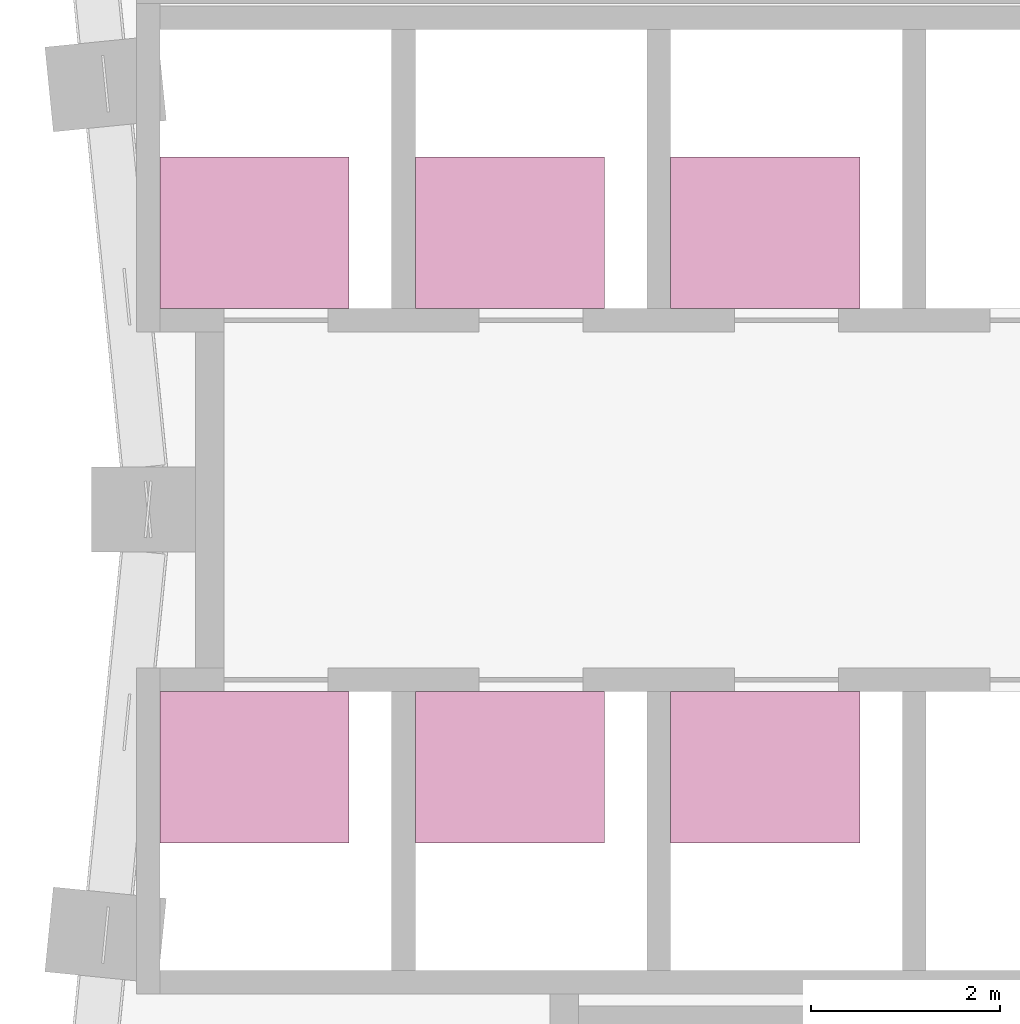
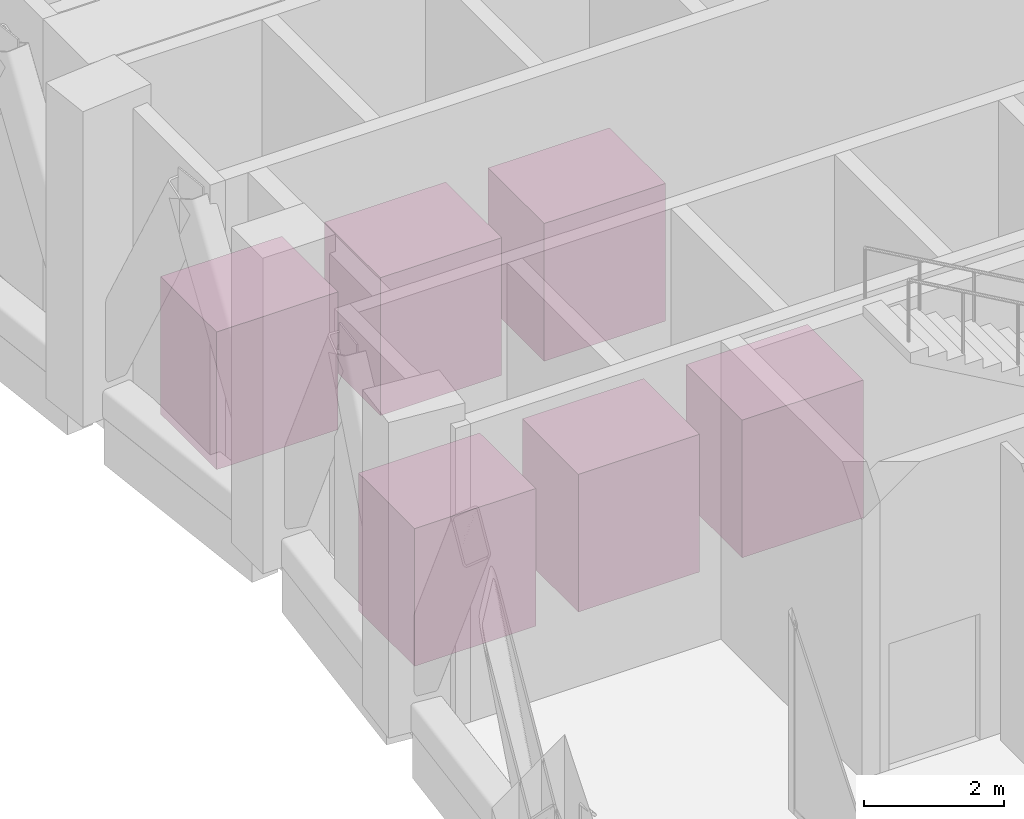
# One storey, part 37 of 37: 6 transport elements.
"""IFC4 building model written with IfcOpenShell, lengths in metres."""

import ifcopenshell
import ifcopenshell.guid

model = None  # the IFC model being written
_history = None  # IfcOwnerHistory: only IFC2X3 demands one
_inside = {}  # id of a spatial element -> (the spatial element, [elements in it])
_under = {}  # id of a project, library or spatial element -> (it, [spatial elements below it])
_declared = {}  # id of a project -> (the project, [libraries it declares])
_typed = {}  # id of a type object -> (the type object, [elements of that type])
_made_of = {}  # id of a material, layer set ... -> (it, [elements and type objects made of it])


def new_model(schema):
    """Start an empty IFC model of exactly this schema.

    Asked for "IFC4X3", IfcOpenShell would pick the latest addendum, in which some entities
    have other attributes; the version numbers below select the first issue.
    IFC2X3 requires an IfcOwnerHistory on every rooted entity: one is made here for all.
    """
    global model, _history
    if schema == "IFC4X3":
        model = ifcopenshell.file(schema_version=(4, 3, 0, 0))
    else:
        model = ifcopenshell.file(schema=schema)
    _inside.clear()
    _under.clear()
    _declared.clear()
    _typed.clear()
    _made_of.clear()
    _history = None
    if model.schema == "IFC2X3":
        org = make("IfcOrganization", Name="unknown")
        user = make(
            "IfcPersonAndOrganization",
            ThePerson=make("IfcPerson", FamilyName="unknown"),
            TheOrganization=org,
        )
        app = make(
            "IfcApplication",
            ApplicationDeveloper=org,
            Version="unknown",
            ApplicationFullName="unknown",
            ApplicationIdentifier="unknown",
        )
        _history = make(
            "IfcOwnerHistory",
            OwningUser=user,
            OwningApplication=app,
            ChangeAction="ADDED",
            CreationDate=0,
        )
    return model


def make(cls, **values):
    """One entity of the class cls with the attributes given. An attribute that is None is left unset."""
    return model.create_entity(
        cls, **{name: value for name, value in values.items() if value is not None}
    )


def rooted(cls, **values):
    """An entity with a GlobalId (a new one), such as an element, a storey or a relation."""
    return make(cls, GlobalId=ifcopenshell.guid.new(), OwnerHistory=_history, **values)


def si_unit(unit_type, name, prefix=None):
    """IfcSIUnit, for example si_unit("LENGTHUNIT", "METRE", prefix="MILLI")."""
    return make("IfcSIUnit", UnitType=unit_type, Prefix=prefix, Name=name)


def assignment(units):
    """IfcUnitAssignment: the units of a project."""
    return None if units is None else make("IfcUnitAssignment", Units=units)


def point(xyz):
    """IfcCartesianPoint."""
    return None if xyz is None else make("IfcCartesianPoint", Coordinates=xyz)


def direction(xyz):
    """IfcDirection."""
    return None if xyz is None else make("IfcDirection", DirectionRatios=xyz)


def frame(location, z_axis=None, x_axis=None):
    """IfcAxis2Placement3D, a coordinate frame: its origin and axes. An axis left out is left unset."""
    return make(
        "IfcAxis2Placement3D",
        Location=point(location),
        Axis=direction(z_axis),
        RefDirection=direction(x_axis),
    )


def frame_2d(location, x_axis=None):
    """IfcAxis2Placement2D, a coordinate frame in the plane: its origin and x axis."""
    return make(
        "IfcAxis2Placement2D", Location=point(location), RefDirection=direction(x_axis)
    )


def origin():
    """The frame at (0, 0, 0) with its axes left unset."""
    return frame((0.0, 0.0, 0.0))


def origin_2d():
    """The frame at (0, 0) in the plane with its x axis left unset."""
    return frame_2d((0.0, 0.0))


def place(relative_to, where):
    """IfcLocalPlacement: puts the frame where relative to a parent placement (None: the world)."""
    return make(
        "IfcLocalPlacement", PlacementRelTo=relative_to, RelativePlacement=where
    )


def context(
    kind, dimensions, precision=None, world=None, true_north=None, identifier=None
):
    """IfcGeometricRepresentationContext, for example the 3D "Model" context."""
    return make(
        "IfcGeometricRepresentationContext",
        ContextIdentifier=identifier,
        ContextType=kind,
        CoordinateSpaceDimension=dimensions,
        Precision=precision,
        WorldCoordinateSystem=world,
        TrueNorth=true_north,
    )


def subcontext(parent, identifier, kind, view, scale=None):
    """IfcGeometricRepresentationSubContext, for example "Body" below "Model"."""
    return make(
        "IfcGeometricRepresentationSubContext",
        ContextIdentifier=identifier,
        ContextType=kind,
        ParentContext=parent,
        TargetScale=scale,
        TargetView=view,
    )


def project(units=None, contexts=None):
    """IfcProject with its units and contexts."""
    return rooted(
        "IfcProject",
        Name="project",
        RepresentationContexts=contexts,
        UnitsInContext=assignment(units),
    )


def spatial(cls, under=None, at=None, **own):
    """A site, building, storey or space (cls), placed at a placement, below another one or the project."""
    s = rooted(cls, ObjectPlacement=at, **own)
    if under is not None:
        _under.setdefault(under.id(), (under, []))[1].append(s)
    return s


def profile(cls, at=None, kind="AREA", **sizes):
    """A parametric profile (cls). Its sizes go by their IFC names, for example OverallWidth=200.0."""
    return make(cls, ProfileType=kind, Position=at, **sizes)


def rectangle(**sizes):
    """IfcRectangleProfileDef."""
    return profile("IfcRectangleProfileDef", **sizes)


def extrude(swept, where, along, depth):
    """IfcExtrudedAreaSolid: the profile swept, set in the frame where, extruded along a direction by depth."""
    return make(
        "IfcExtrudedAreaSolid",
        SweptArea=swept,
        Position=where,
        ExtrudedDirection=direction(along),
        Depth=depth,
    )


def shape(context_of_items, identifier, shape_type, items):
    """IfcShapeRepresentation: the items that make up one representation, for example the "Body"."""
    return make(
        "IfcShapeRepresentation",
        ContextOfItems=context_of_items,
        RepresentationIdentifier=identifier,
        RepresentationType=shape_type,
        Items=items,
    )


def material(Name=None, Category=None):
    """IfcMaterial."""
    return make("IfcMaterial", Name=Name, Category=Category)


def made_of(thing, what):
    """Note that an element or type object is made of a material, layer set ...; save() writes the relation."""
    if what is not None:
        _made_of.setdefault(what.id(), (what, []))[1].append(thing)
    return thing


def type_object(cls, material=None, **own):
    """A type object (cls), such as IfcWallType, which elements share."""
    return made_of(rooted(cls, **own), material)


def element(
    cls,
    number,
    at=None,
    inside=None,
    cuts=None,
    type_object=None,
    material=None,
    context=None,
    identifier="Body",
    shape_type=None,
    held_by="IfcProductDefinitionShape",
    body=None,
    shapes=None,
    **own,
):
    """One element of the class cls, such as IfcWall. Its Tag is "e" and its number.

    at: its placement. inside: the storey or other place that contains it. cuts: it is an
    opening in that element (IfcRelVoidsElement). A single representation is given by context,
    identifier, shape_type and body (its items); several are given by shapes. held_by: the class
    of the entity that holds the representations. save() writes the other relations.
    """
    e = rooted(cls, Tag="e%d" % number, ObjectPlacement=at, **own)
    if body is not None:
        shapes = [shape(context, identifier, shape_type, body)]
    if shapes is not None:
        e.Representation = make(held_by, Representations=shapes)
    if inside is not None:
        _inside.setdefault(inside.id(), (inside, []))[1].append(e)
    if cuts is not None:
        rooted(
            "IfcRelVoidsElement", RelatingBuildingElement=cuts, RelatedOpeningElement=e
        )
    if type_object is not None:
        _typed.setdefault(type_object.id(), (type_object, []))[1].append(e)
    return made_of(e, material)


def aggregate(whole, parts):
    """IfcRelAggregates: a whole, such as a stair, and the parts it consists of."""
    return rooted("IfcRelAggregates", RelatingObject=whole, RelatedObjects=parts)


def save(model, path):
    """Write the relations noted so far, then the file.

    IfcRelAggregates (storeys below a building ...), IfcRelContainedInSpatialStructure (elements
    in a storey), IfcRelDefinesByType, IfcRelAssociatesMaterial and IfcRelDeclares: one each for
    every whole, place, type object, material and project.
    """
    for whole, parts in _under.values():
        aggregate(whole, parts)
    for where, things in _inside.values():
        rooted(
            "IfcRelContainedInSpatialStructure",
            RelatedElements=things,
            RelatingStructure=where,
        )
    for kind, things in _typed.values():
        rooted("IfcRelDefinesByType", RelatedObjects=things, RelatingType=kind)
    for what, things in _made_of.values():
        rooted("IfcRelAssociatesMaterial", RelatedObjects=things, RelatingMaterial=what)
    for by, libraries in _declared.values():
        rooted("IfcRelDeclares", RelatingContext=by, RelatedDefinitions=libraries)
    model.write(path)


model = new_model("IFC4")

# Units and contexts
model_context = context("Model", 3, precision=1e-05, world=origin(), true_north=direction((0.0, 1.0)))
body_context = subcontext(model_context, "Body", "Model", "MODEL_VIEW")
ifc_project = project(units=[si_unit("LENGTHUNIT", "METRE"), si_unit("AREAUNIT", "SQUARE_METRE"), si_unit("VOLUMEUNIT", "CUBIC_METRE"), si_unit("PLANEANGLEUNIT", "RADIAN"), si_unit("MASSUNIT", "GRAM", prefix="KILO")], contexts=[model_context])

# Site, building, storey
site_placement = place(None, origin())
site = spatial("IfcSite", under=ifc_project, at=site_placement, CompositionType="ELEMENT")
building_placement = place(site_placement, origin())
building = spatial("IfcBuilding", under=site, at=building_placement, Name="Brondeck Convention Tower", CompositionType="ELEMENT")
storey_placement = place(building_placement, frame((0.0, 0.0, 137.89990234375)))
storey = spatial("IfcBuildingStorey", under=building, at=storey_placement, Name="L33", CompositionType="ELEMENT", Elevation=137.89990234375)

# Transport elements
ifc_material = material(Name="Stainless steel lift car", Category="steel")
transport_element_type = type_object("IfcTransportElementType", Name="Passenger lift car 1600 kg 2000x1600", PredefinedType="ELEVATOR", material=ifc_material)
for number, where, z_axis, x_axis, name in (
    (1, (1.125, 42.27490234375, 0.000244140625), (0.0, 0.0, 1.0), (1.0, 0.0, 0.0), "Lift HR1 car"),
    (2, (1.125, 47.925048828125, 0.000244140625), (0.0, 0.0, 1.0), (1.0, 0.0, 0.0), "Lift HR4 car"),
    (3, (3.824951171875, 42.27490234375, 0.000244140625), (0.0, 0.0, 1.0), (1.0, 0.0, 0.0), "Lift HR2 car"),
    (4, (3.824951171875, 47.925048828125, 0.000244140625), (0.0, 0.0, 1.0), (1.0, 0.0, 0.0), "Lift HR5 car"),
    (5, (6.52490234375, 42.27490234375, 0.000244140625), (0.0, 0.0, 1.0), (1.0, 0.0, 0.0), "Lift HR3 car"),
    (6, (6.52490234375, 47.925048828125, 0.000244140625), (0.0, 0.0, 1.0), (1.0, 0.0, 0.0), "Lift HR6 car"),
):
    element("IfcTransportElement", number, at=place(storey_placement, frame(where, z_axis=z_axis, x_axis=x_axis)), inside=storey, type_object=transport_element_type, Name=name, PredefinedType="ELEVATOR", context=body_context, shape_type="SweptSolid", body=[
        extrude(rectangle(XDim=2.0, YDim=1.60009765625, at=origin_2d()), origin(), (0.0, 0.0, 1.0), 2.39990234375),
    ])

save(model, "model.ifc")
